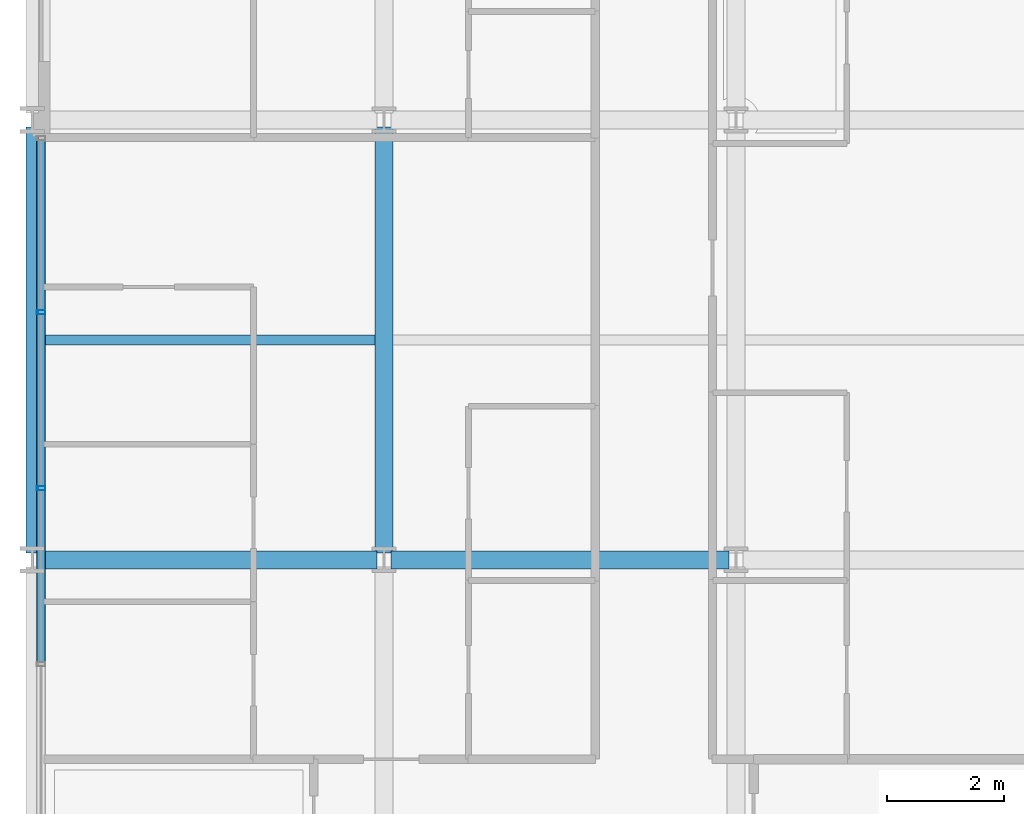
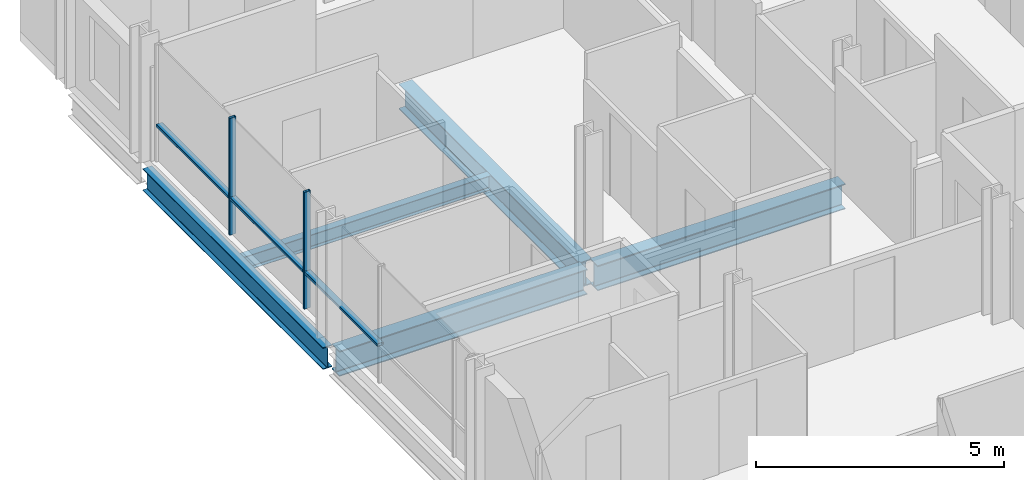
# One storey, part 5 of 41: 5 beams, 5 members, 1 element without a shape of its own.
"""IFC4 building model written with IfcOpenShell, lengths in metres."""

import ifcopenshell
import ifcopenshell.guid

model = None  # the IFC model being written
_history = None  # IfcOwnerHistory: only IFC2X3 demands one
_inside = {}  # id of a spatial element -> (the spatial element, [elements in it])
_under = {}  # id of a project, library or spatial element -> (it, [spatial elements below it])
_declared = {}  # id of a project -> (the project, [libraries it declares])
_typed = {}  # id of a type object -> (the type object, [elements of that type])
_made_of = {}  # id of a material, layer set ... -> (it, [elements and type objects made of it])


def new_model(schema):
    """Start an empty IFC model of exactly this schema.

    Asked for "IFC4X3", IfcOpenShell would pick the latest addendum, in which some entities
    have other attributes; the version numbers below select the first issue.
    IFC2X3 requires an IfcOwnerHistory on every rooted entity: one is made here for all.
    """
    global model, _history
    if schema == "IFC4X3":
        model = ifcopenshell.file(schema_version=(4, 3, 0, 0))
    else:
        model = ifcopenshell.file(schema=schema)
    _inside.clear()
    _under.clear()
    _declared.clear()
    _typed.clear()
    _made_of.clear()
    _history = None
    if model.schema == "IFC2X3":
        org = make("IfcOrganization", Name="unknown")
        user = make(
            "IfcPersonAndOrganization",
            ThePerson=make("IfcPerson", FamilyName="unknown"),
            TheOrganization=org,
        )
        app = make(
            "IfcApplication",
            ApplicationDeveloper=org,
            Version="unknown",
            ApplicationFullName="unknown",
            ApplicationIdentifier="unknown",
        )
        _history = make(
            "IfcOwnerHistory",
            OwningUser=user,
            OwningApplication=app,
            ChangeAction="ADDED",
            CreationDate=0,
        )
    return model


def make(cls, **values):
    """One entity of the class cls with the attributes given. An attribute that is None is left unset."""
    return model.create_entity(
        cls, **{name: value for name, value in values.items() if value is not None}
    )


def rooted(cls, **values):
    """An entity with a GlobalId (a new one), such as an element, a storey or a relation."""
    return make(cls, GlobalId=ifcopenshell.guid.new(), OwnerHistory=_history, **values)


def si_unit(unit_type, name, prefix=None):
    """IfcSIUnit, for example si_unit("LENGTHUNIT", "METRE", prefix="MILLI")."""
    return make("IfcSIUnit", UnitType=unit_type, Prefix=prefix, Name=name)


def assignment(units):
    """IfcUnitAssignment: the units of a project."""
    return None if units is None else make("IfcUnitAssignment", Units=units)


def point(xyz):
    """IfcCartesianPoint."""
    return None if xyz is None else make("IfcCartesianPoint", Coordinates=xyz)


def direction(xyz):
    """IfcDirection."""
    return None if xyz is None else make("IfcDirection", DirectionRatios=xyz)


def frame(location, z_axis=None, x_axis=None):
    """IfcAxis2Placement3D, a coordinate frame: its origin and axes. An axis left out is left unset."""
    return make(
        "IfcAxis2Placement3D",
        Location=point(location),
        Axis=direction(z_axis),
        RefDirection=direction(x_axis),
    )


def frame_2d(location, x_axis=None):
    """IfcAxis2Placement2D, a coordinate frame in the plane: its origin and x axis."""
    return make(
        "IfcAxis2Placement2D", Location=point(location), RefDirection=direction(x_axis)
    )


def origin():
    """The frame at (0, 0, 0) with its axes left unset."""
    return frame((0.0, 0.0, 0.0))


def origin_2d():
    """The frame at (0, 0) in the plane with its x axis left unset."""
    return frame_2d((0.0, 0.0))


def place(relative_to, where):
    """IfcLocalPlacement: puts the frame where relative to a parent placement (None: the world)."""
    return make(
        "IfcLocalPlacement", PlacementRelTo=relative_to, RelativePlacement=where
    )


def context(
    kind, dimensions, precision=None, world=None, true_north=None, identifier=None
):
    """IfcGeometricRepresentationContext, for example the 3D "Model" context."""
    return make(
        "IfcGeometricRepresentationContext",
        ContextIdentifier=identifier,
        ContextType=kind,
        CoordinateSpaceDimension=dimensions,
        Precision=precision,
        WorldCoordinateSystem=world,
        TrueNorth=true_north,
    )


def subcontext(parent, identifier, kind, view, scale=None):
    """IfcGeometricRepresentationSubContext, for example "Body" below "Model"."""
    return make(
        "IfcGeometricRepresentationSubContext",
        ContextIdentifier=identifier,
        ContextType=kind,
        ParentContext=parent,
        TargetScale=scale,
        TargetView=view,
    )


def project(units=None, contexts=None):
    """IfcProject with its units and contexts."""
    return rooted(
        "IfcProject",
        Name="project",
        RepresentationContexts=contexts,
        UnitsInContext=assignment(units),
    )


def spatial(cls, under=None, at=None, **own):
    """A site, building, storey or space (cls), placed at a placement, below another one or the project."""
    s = rooted(cls, ObjectPlacement=at, **own)
    if under is not None:
        _under.setdefault(under.id(), (under, []))[1].append(s)
    return s


def profile(cls, at=None, kind="AREA", **sizes):
    """A parametric profile (cls). Its sizes go by their IFC names, for example OverallWidth=200.0."""
    return make(cls, ProfileType=kind, Position=at, **sizes)


def hollow_rectangle(**sizes):
    """IfcRectangleHollowProfileDef."""
    return profile("IfcRectangleHollowProfileDef", **sizes)


def i_section(**sizes):
    """IfcIShapeProfileDef."""
    return profile("IfcIShapeProfileDef", **sizes)


def extrude(swept, where, along, depth):
    """IfcExtrudedAreaSolid: the profile swept, set in the frame where, extruded along a direction by depth."""
    return make(
        "IfcExtrudedAreaSolid",
        SweptArea=swept,
        Position=where,
        ExtrudedDirection=direction(along),
        Depth=depth,
    )


def shape(context_of_items, identifier, shape_type, items):
    """IfcShapeRepresentation: the items that make up one representation, for example the "Body"."""
    return make(
        "IfcShapeRepresentation",
        ContextOfItems=context_of_items,
        RepresentationIdentifier=identifier,
        RepresentationType=shape_type,
        Items=items,
    )


def material(Name=None, Category=None):
    """IfcMaterial."""
    return make("IfcMaterial", Name=Name, Category=Category)


def layer(
    of_material, thickness, ventilated=None, Name=None, Category=None, Priority=None
):
    """IfcMaterialLayer: one layer of a wall or slab, of a material (None: an air gap)."""
    return make(
        "IfcMaterialLayer",
        Material=of_material,
        LayerThickness=thickness,
        IsVentilated=ventilated,
        Name=Name,
        Category=Category,
        Priority=Priority,
    )


def layer_set(layers, Name=None):
    """IfcMaterialLayerSet."""
    return make("IfcMaterialLayerSet", MaterialLayers=layers, LayerSetName=Name)


def material_profile(
    of_material, cross_section, Name=None, Category=None, Priority=None
):
    """IfcMaterialProfile: a cross section and its material."""
    return make(
        "IfcMaterialProfile",
        Name=Name,
        Material=of_material,
        Profile=cross_section,
        Priority=Priority,
        Category=Category,
    )


def profile_set(profiles, Name=None, composite=None):
    """IfcMaterialProfileSet."""
    return make(
        "IfcMaterialProfileSet",
        Name=Name,
        MaterialProfiles=profiles,
        CompositeProfile=composite,
    )


def made_of(thing, what):
    """Note that an element or type object is made of a material, layer set ...; save() writes the relation."""
    if what is not None:
        _made_of.setdefault(what.id(), (what, []))[1].append(thing)
    return thing


def type_object(cls, material=None, **own):
    """A type object (cls), such as IfcWallType, which elements share."""
    return made_of(rooted(cls, **own), material)


def element(
    cls,
    number,
    at=None,
    inside=None,
    cuts=None,
    type_object=None,
    material=None,
    context=None,
    identifier="Body",
    shape_type=None,
    held_by="IfcProductDefinitionShape",
    body=None,
    shapes=None,
    **own,
):
    """One element of the class cls, such as IfcWall. Its Tag is "e" and its number.

    at: its placement. inside: the storey or other place that contains it. cuts: it is an
    opening in that element (IfcRelVoidsElement). A single representation is given by context,
    identifier, shape_type and body (its items); several are given by shapes. held_by: the class
    of the entity that holds the representations. save() writes the other relations.
    """
    e = rooted(cls, Tag="e%d" % number, ObjectPlacement=at, **own)
    if body is not None:
        shapes = [shape(context, identifier, shape_type, body)]
    if shapes is not None:
        e.Representation = make(held_by, Representations=shapes)
    if inside is not None:
        _inside.setdefault(inside.id(), (inside, []))[1].append(e)
    if cuts is not None:
        rooted(
            "IfcRelVoidsElement", RelatingBuildingElement=cuts, RelatedOpeningElement=e
        )
    if type_object is not None:
        _typed.setdefault(type_object.id(), (type_object, []))[1].append(e)
    return made_of(e, material)


def aggregate(whole, parts):
    """IfcRelAggregates: a whole, such as a stair, and the parts it consists of."""
    return rooted("IfcRelAggregates", RelatingObject=whole, RelatedObjects=parts)


def save(model, path):
    """Write the relations noted so far, then the file.

    IfcRelAggregates (storeys below a building ...), IfcRelContainedInSpatialStructure (elements
    in a storey), IfcRelDefinesByType, IfcRelAssociatesMaterial and IfcRelDeclares: one each for
    every whole, place, type object, material and project.
    """
    for whole, parts in _under.values():
        aggregate(whole, parts)
    for where, things in _inside.values():
        rooted(
            "IfcRelContainedInSpatialStructure",
            RelatedElements=things,
            RelatingStructure=where,
        )
    for kind, things in _typed.values():
        rooted("IfcRelDefinesByType", RelatedObjects=things, RelatingType=kind)
    for what, things in _made_of.values():
        rooted("IfcRelAssociatesMaterial", RelatedObjects=things, RelatingMaterial=what)
    for by, libraries in _declared.values():
        rooted("IfcRelDeclares", RelatingContext=by, RelatedDefinitions=libraries)
    model.write(path)


model = new_model("IFC4")

# Units and contexts
model_context = context("Model", 3, precision=1e-05, world=origin(), true_north=direction((0.0, 1.0)))
body_context = subcontext(model_context, "Body", "Model", "MODEL_VIEW")
ifc_project = project(units=[si_unit("LENGTHUNIT", "METRE"), si_unit("AREAUNIT", "SQUARE_METRE"), si_unit("VOLUMEUNIT", "CUBIC_METRE"), si_unit("PLANEANGLEUNIT", "RADIAN"), si_unit("MASSUNIT", "GRAM", prefix="KILO")], contexts=[model_context])

# Site, building, storey
site_placement = place(None, origin())
site = spatial("IfcSite", under=ifc_project, at=site_placement, CompositionType="ELEMENT")
building_placement = place(site_placement, origin())
building = spatial("IfcBuilding", under=site, at=building_placement, Name="Brevholm Reach", CompositionType="ELEMENT")
storey_placement = place(building_placement, frame((0.0, 0.0, 74.5)))
storey = spatial("IfcBuildingStorey", under=building, at=storey_placement, Name="L21", CompositionType="ELEMENT", Elevation=74.5)

# Beams
ifc_material_1 = material(Name="Structural Steel S355J2", Category="steel")
ifc_material_profile_1 = material_profile(ifc_material_1, i_section(OverallWidth=0.17138671875, OverallDepth=0.35498046875, WebThickness=0.00732421875, FlangeThickness=0.011474609375, FilletRadius=0.01025390625, at=origin_2d()), Name="UKB 356x171x51")
ifc_profile_set_1 = profile_set([ifc_material_profile_1], Name="Structural Steel S355J2")
beam_type_1 = type_object("IfcBeamType", Name="BM-B356", PredefinedType="BEAM", material=ifc_profile_set_1)
beam_1_placement = place(storey_placement, frame((0.10546875, 19.75, -0.407470703125), z_axis=(1.0, 0.0, 0.0), x_axis=(0.0, 1.0, 0.0)))
element("IfcBeam", 1, at=beam_1_placement, inside=storey, type_object=beam_type_1, Name="L21 Composite Secondary Floor Beam", PredefinedType="BEAM", context=body_context, shape_type="SweptSolid", body=[
    extrude(i_section(OverallWidth=0.17138671875, OverallDepth=0.35498046875, WebThickness=0.00732421875, FlangeThickness=0.011474609375, FilletRadius=0.01025390625, at=origin_2d()), origin(), (0.0, 0.0, 1.0), 5.740966796875),
])
ifc_material_2 = material(Name="Structural Steel S355J2", Category="steel")
ifc_material_profile_2 = material_profile(ifc_material_2, i_section(OverallWidth=0.210693359375, OverallDepth=0.53955078125, WebThickness=0.01171875, FlangeThickness=0.018798828125, FilletRadius=0.0126953125, at=origin_2d()), Name="UKB 533x210x109")
ifc_profile_set_2 = profile_set([ifc_material_profile_2], Name="Structural Steel S355J2")
beam_type_2 = type_object("IfcBeamType", Name="BM-SP539", PredefinedType="SPANDREL", material=ifc_profile_set_2)
beam_2_placement = place(storey_placement, frame((0.0, 16.1201171875, -0.499755859375), z_axis=(0.0, 1.0, 0.0), x_axis=(-1.0, 0.0, 0.0)))
element("IfcBeam", 2, at=beam_2_placement, inside=storey, type_object=beam_type_2, Name="L21 SP-01B Framing Beam", PredefinedType="SPANDREL", context=body_context, shape_type="SweptSolid", body=[
    extrude(i_section(OverallWidth=0.210693359375, OverallDepth=0.53955078125, WebThickness=0.01171875, FlangeThickness=0.018798828125, FilletRadius=0.0126953125, at=origin_2d()), origin(), (0.0, 0.0, 1.0), 7.259765625),
])
ifc_material_3 = material(Name="Structural Steel S355J2", Category="steel")
ifc_material_profile_3 = material_profile(ifc_material_3, i_section(OverallWidth=0.30712890625, OverallDepth=0.6201171875, WebThickness=0.01416015625, FlangeThickness=0.023681640625, FilletRadius=0.0166015625, at=origin_2d()), Name="UKB 610x305x179")
ifc_profile_set_3 = profile_set([ifc_material_profile_3], Name="Structural Steel S355J2")
beam_type_3 = type_object("IfcBeamType", Name="BM-UKB610H", PredefinedType="USERDEFINED", material=ifc_profile_set_3)
for number, where, z_axis, x_axis, name in (
    (3, (0.1201171875, 16.0, -0.5400390625), (1.0, 0.0, 0.0), (0.0, 1.0, 0.0), "L21 G-06 Framing Beam"),
    (4, (6.1201171875, 16.0, -0.5400390625), (1.0, 0.0, 0.0), (0.0, 1.0, 0.0), "L21 G-06 Framing Beam"),
):
    element("IfcBeam", number, at=place(storey_placement, frame(where, z_axis=z_axis, x_axis=x_axis)), inside=storey, type_object=beam_type_3, Name=name, ObjectType="GIRDER", PredefinedType="USERDEFINED", context=body_context, shape_type="SweptSolid", body=[
        extrude(i_section(OverallWidth=0.30712890625, OverallDepth=0.6201171875, WebThickness=0.01416015625, FlangeThickness=0.023681640625, FilletRadius=0.0166015625, at=origin_2d()), origin(), (0.0, 0.0, 1.0), 5.759765625),
    ])
beam_3_placement = place(storey_placement, frame((6.0, 16.1201171875, -0.5400390625), z_axis=(0.0, 1.0, 0.0), x_axis=(-1.0, 0.0, 0.0)))
element("IfcBeam", 5, at=beam_3_placement, inside=storey, type_object=beam_type_3, Name="L21 G-06 Framing Beam", ObjectType="GIRDER", PredefinedType="USERDEFINED", context=body_context, shape_type="SweptSolid", body=[
    extrude(i_section(OverallWidth=0.30712890625, OverallDepth=0.6201171875, WebThickness=0.01416015625, FlangeThickness=0.023681640625, FilletRadius=0.0166015625, at=origin_2d()), origin(), (0.0, 0.0, 1.0), 7.259765625),
])

# Curtain wall, members
ifc_material_4 = material(Name="Dark Anodised Aluminium 6063-T6 and Solar-Control Glass", Category="aluminium")
ifc_layer = layer(ifc_material_4, 0.14990234375)
ifc_layer_set = layer_set([ifc_layer], Name="Dark Anodised Aluminium 6063-T6 and Solar-Control Glass")
curtain_wall_type = type_object("IfcCurtainWallType", Name="CW-01", PredefinedType="NOTDEFINED", material=ifc_layer_set)
curtain_wall_placement = place(storey_placement, origin())
curtain_wall = element("IfcCurtainWall", 6, at=curtain_wall_placement, inside=storey, type_object=curtain_wall_type, Name="L21 Curtain Wall CW-01", PredefinedType="NOTDEFINED")
ifc_material_5 = material(Name="Dark Anodised Aluminium 6063-T6", Category="aluminium")
ifc_material_profile_4 = material_profile(ifc_material_5, hollow_rectangle(XDim=0.06494140625, YDim=0.14990234375, WallThickness=0.0048828125, InnerFilletRadius=0.0048828125, OuterFilletRadius=0.010009765625, at=origin_2d()), Name="RHS 150x65x5")
ifc_profile_set_4 = profile_set([ifc_material_profile_4], Name="Dark Anodised Aluminium 6063-T6")
member_type_1 = type_object("IfcMemberType", Name="CWM-150", PredefinedType="MULLION", material=ifc_profile_set_4)
member_1_placement = place(storey_placement, frame((0.14990234375, 20.219970703125, 0.0), z_axis=(0.0, 0.0, 1.0), x_axis=(0.0, -1.0, 0.0)))
member_1 = element("IfcMember", 7, at=member_1_placement, type_object=member_type_1, Name="CM-150 Mullion 2", PredefinedType="MULLION", context=body_context, shape_type="SweptSolid", body=[
    extrude(hollow_rectangle(XDim=0.06494140625, YDim=0.14990234375, WallThickness=0.0048828125, InnerFilletRadius=0.0048828125, OuterFilletRadius=0.010009765625, at=origin_2d()), origin(), (0.0, 0.0, 1.0), 2.8701171875),
])
member_2_placement = place(storey_placement, frame((0.14990234375, 17.219970703125, 0.0), z_axis=(0.0, 0.0, 1.0), x_axis=(0.0, -1.0, 0.0)))
member_2 = element("IfcMember", 8, at=member_2_placement, type_object=member_type_1, Name="CM-150 Mullion 3", PredefinedType="MULLION", context=body_context, shape_type="SweptSolid", body=[
    extrude(hollow_rectangle(XDim=0.06494140625, YDim=0.14990234375, WallThickness=0.0048828125, InnerFilletRadius=0.0048828125, OuterFilletRadius=0.010009765625, at=origin_2d()), origin(), (0.0, 0.0, 1.0), 2.8701171875),
])
ifc_material_6 = material(Name="Dark Anodised Aluminium 6063-T6", Category="aluminium")
ifc_material_profile_5 = material_profile(ifc_material_6, hollow_rectangle(XDim=0.06494140625, YDim=0.14990234375, WallThickness=0.0048828125, InnerFilletRadius=0.0048828125, OuterFilletRadius=0.010009765625, at=origin_2d()), Name="RHS 150x65x5")
ifc_profile_set_5 = profile_set([ifc_material_profile_5], Name="Dark Anodised Aluminium 6063-T6")
member_type_2 = type_object("IfcMemberType", Name="CWT-150", PredefinedType="NOTDEFINED", material=ifc_profile_set_5)
member_3_placement = place(storey_placement, frame((0.14990234375, 23.155029296875, 0.89990234375), z_axis=(0.0, -1.0, 0.0), x_axis=(0.0, 0.0, 1.0)))
member_3 = element("IfcMember", 9, at=member_3_placement, type_object=member_type_2, Name="CT-150 Transom 1.1", ObjectType="TRANSOM", PredefinedType="USERDEFINED", context=body_context, shape_type="SweptSolid", body=[
    extrude(hollow_rectangle(XDim=0.06494140625, YDim=0.14990234375, WallThickness=0.0048828125, InnerFilletRadius=0.0048828125, OuterFilletRadius=0.010009765625, at=origin_2d()), origin(), (0.0, 0.0, 1.0), 2.902587890625),
])
member_4_placement = place(storey_placement, frame((0.14990234375, 20.1875, 0.89990234375), z_axis=(0.0, -1.0, 0.0), x_axis=(0.0, 0.0, 1.0)))
member_4 = element("IfcMember", 10, at=member_4_placement, type_object=member_type_2, Name="CT-150 Transom 2.1", ObjectType="TRANSOM", PredefinedType="USERDEFINED", context=body_context, shape_type="SweptSolid", body=[
    extrude(hollow_rectangle(XDim=0.06494140625, YDim=0.14990234375, WallThickness=0.0048828125, InnerFilletRadius=0.0048828125, OuterFilletRadius=0.010009765625, at=origin_2d()), origin(), (0.0, 0.0, 1.0), 2.93505859375),
])
member_5_placement = place(storey_placement, frame((0.14990234375, 17.1875, 0.89990234375), z_axis=(0.0, -1.0, 0.0), x_axis=(0.0, 0.0, 1.0)))
member_5 = element("IfcMember", 11, at=member_5_placement, type_object=member_type_2, Name="CT-150 Transom 3.1", ObjectType="TRANSOM", PredefinedType="USERDEFINED", context=body_context, shape_type="SweptSolid", body=[
    extrude(hollow_rectangle(XDim=0.06494140625, YDim=0.14990234375, WallThickness=0.0048828125, InnerFilletRadius=0.0048828125, OuterFilletRadius=0.010009765625, at=origin_2d()), origin(), (0.0, 0.0, 1.0), 2.93505859375),
])
aggregate(curtain_wall, [member_1, member_2, member_3, member_4, member_5])

save(model, "model.ifc")
